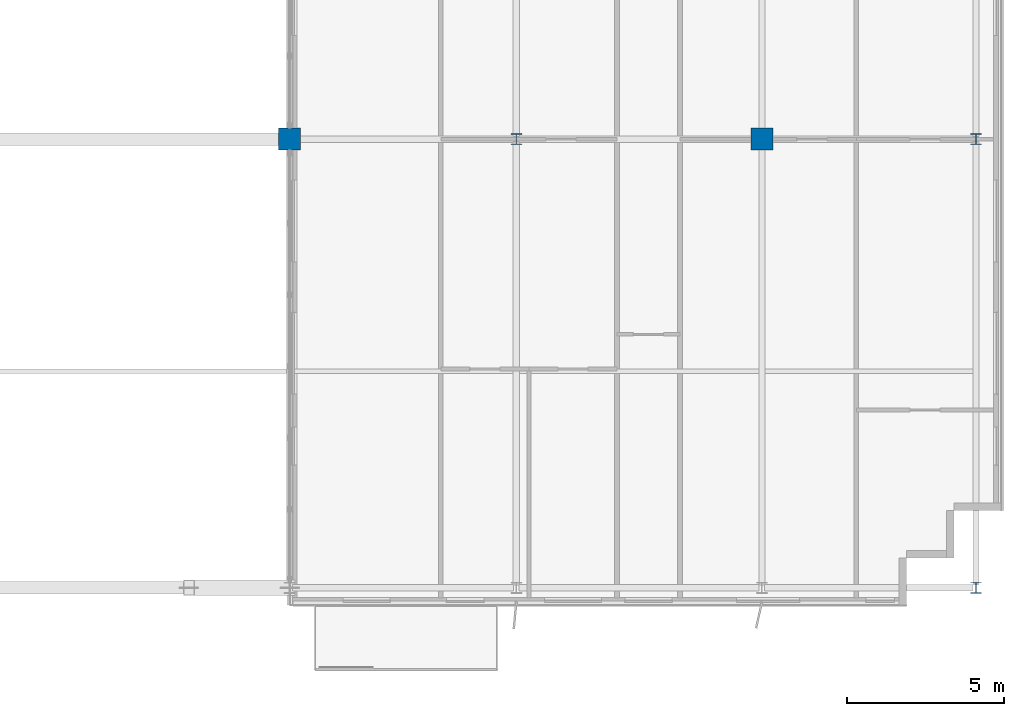
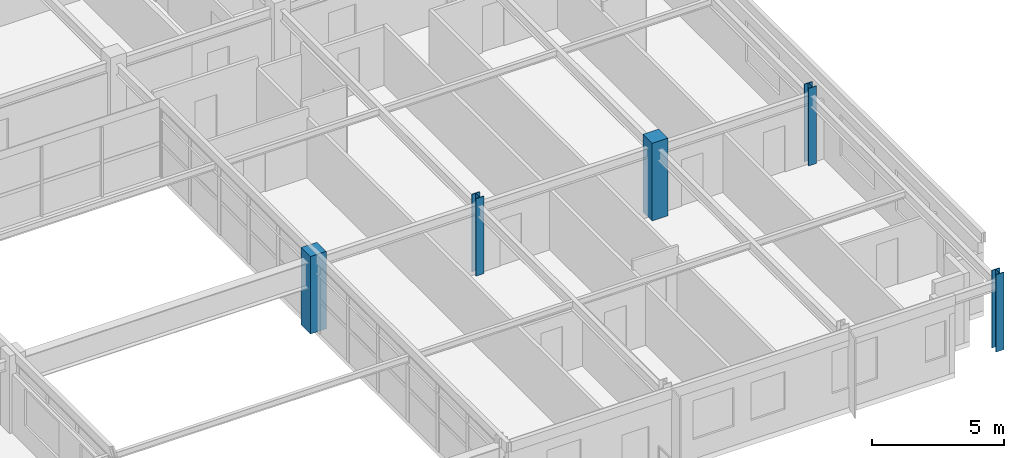
# One storey, part 2 of 37: 5 columns.
"""IFC4 building model written with IfcOpenShell, lengths in metres."""

from ifc_helpers import new_model, si_unit, direction, frame, origin, origin_2d, place, context, subcontext, project, spatial, rectangle, i_section, extrude, source, transform, mapped, material, material_profile, profile_set, type_object, element, save


model = new_model("IFC4")

# Units and contexts
model_context = context("Model", 3, precision=1e-05, world=origin(), true_north=direction((0.0, 1.0)))
body_context = subcontext(model_context, "Body", "Model", "MODEL_VIEW")
ifc_project = project(units=[si_unit("LENGTHUNIT", "METRE"), si_unit("AREAUNIT", "SQUARE_METRE"), si_unit("VOLUMEUNIT", "CUBIC_METRE"), si_unit("PLANEANGLEUNIT", "RADIAN"), si_unit("MASSUNIT", "GRAM", prefix="KILO")], contexts=[model_context])

# Site, building, storey
site_placement = place(None, origin())
site = spatial("IfcSite", under=ifc_project, at=site_placement, CompositionType="ELEMENT")
building_placement = place(site_placement, origin())
building = spatial("IfcBuilding", under=site, at=building_placement, Name="Trelvane Seafront Commons", CompositionType="ELEMENT")
storey_placement = place(building_placement, frame((0.0, 0.0, 201.300048828125)))
storey = spatial("IfcBuildingStorey", under=building, at=storey_placement, Name="L52", CompositionType="ELEMENT", Elevation=201.300048828125)

# Columns
ifc_material_1 = material(Name="Concrete C50/60", Category="concrete")
ifc_material_profile_1 = material_profile(ifc_material_1, rectangle(XDim=0.699951171875, YDim=0.699951171875, at=origin_2d()), Name="RC-700x700")
ifc_profile_set_1 = profile_set([ifc_material_profile_1], Name="Concrete C50/60")
column_type_1 = type_object("IfcColumnType", Name="STR-COL-RC700", PredefinedType="COLUMN", material=ifc_profile_set_1)
shared_shape_1 = source(origin(), body_context, "Body", "SweptSolid", [
    extrude(rectangle(XDim=0.699951171875, YDim=0.699951171875, at=origin_2d()), origin(), (0.0, 0.0, 1.0), 3.599853515625),
])
for number, where, z_axis, x_axis, name in (
    (1, (43.800048828125, 18.199951171875, 0.0), (0.0, 0.0, 1.0), (1.0, 0.0, 0.0), "L52 Column TC-M43.8"),
    (2, (58.800048828125, 18.199951171875, 0.0), (0.0, 0.0, 1.0), (1.0, 0.0, 0.0), "L52 Column TC-M58.8"),
):
    element("IfcColumn", number, at=place(storey_placement, frame(where, z_axis=z_axis, x_axis=x_axis)), inside=storey, type_object=column_type_1, Name=name, PredefinedType="COLUMN", context=body_context, shape_type="MappedRepresentation", body=[
        mapped(shared_shape_1, transform((0.0, 0.0, 0.0), x_axis=(1.0, 0.0, 0.0), y_axis=(0.0, 1.0, 0.0), z_axis=(0.0, 0.0, 1.0), scale=1.0)),
    ])
ifc_material_2 = material(Name="Steel SM355 (S355)", Category="steel")
ifc_material_profile_2 = material_profile(ifc_material_2, i_section(OverallWidth=0.35009765625, OverallDepth=0.35009765625, WebThickness=0.01806640625, FlangeThickness=0.028076171875, at=origin_2d()), Name="HD-350x350x18x28")
ifc_profile_set_2 = profile_set([ifc_material_profile_2], Name="Steel SM355 (S355)")
column_type_2 = type_object("IfcColumnType", Name="STR-COL-HD350", PredefinedType="COLUMN", material=ifc_profile_set_2)
shared_shape_2 = source(origin(), body_context, "Body", "SweptSolid", [
    extrude(i_section(OverallWidth=0.35009765625, OverallDepth=0.35009765625, WebThickness=0.01806640625, FlangeThickness=0.028076171875, at=origin_2d()), origin(), (0.0, 0.0, 1.0), 3.599853515625),
])
for number, where, z_axis, x_axis, name in (
    (3, (51.0, 18.199951171875, 0.0), (0.0, 0.0, 1.0), (1.0, 0.0, 0.0), "L52 Column TC-M51.0"),
    (4, (65.60009765625, 3.949951171875, 0.0), (0.0, 0.0, 1.0), (1.0, 0.0, 0.0), "L52 Column TC-S65.6"),
    (5, (65.60009765625, 18.199951171875, 0.0), (0.0, 0.0, 1.0), (1.0, 0.0, 0.0), "L52 Column TC-M65.6"),
):
    element("IfcColumn", number, at=place(storey_placement, frame(where, z_axis=z_axis, x_axis=x_axis)), inside=storey, type_object=column_type_2, Name=name, PredefinedType="COLUMN", context=body_context, shape_type="MappedRepresentation", body=[
        mapped(shared_shape_2, transform((0.0, 0.0, 0.0), x_axis=(1.0, 0.0, 0.0), y_axis=(0.0, 1.0, 0.0), z_axis=(0.0, 0.0, 1.0), scale=1.0)),
    ])

save(model, "model.ifc")
